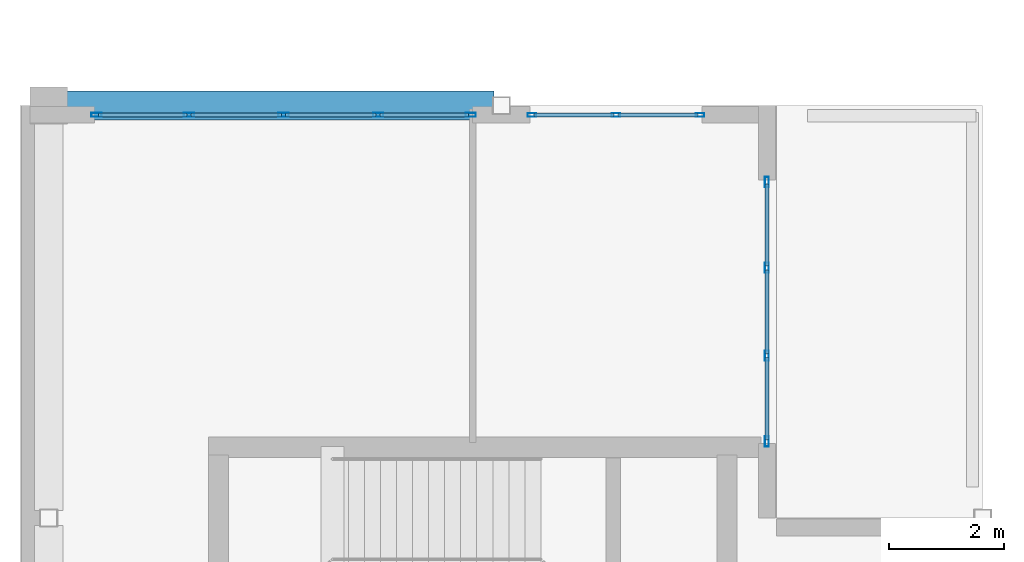
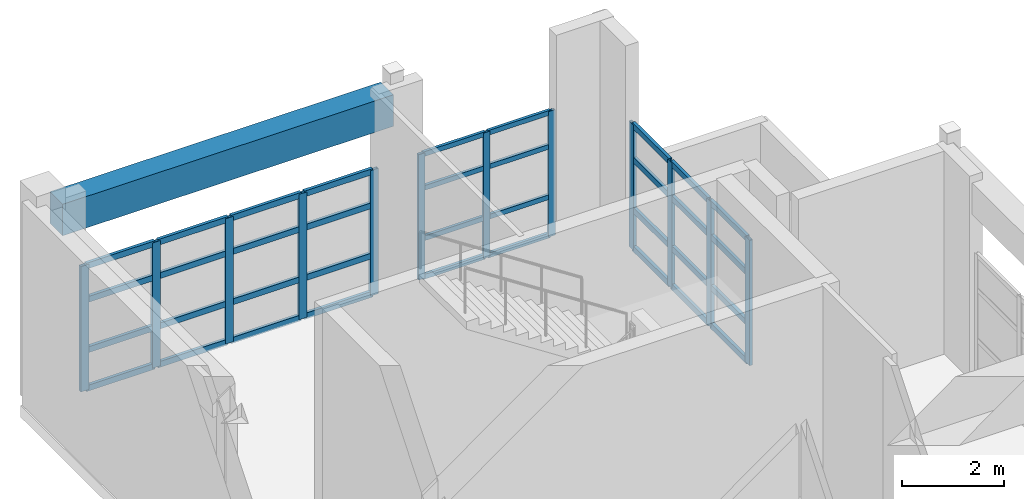
# One storey, part 24 of 78: 48 members, 1 beam, 3 elements without a shape of their own.
"""IFC4 building model written with IfcOpenShell, lengths in metres."""

import ifcopenshell
import ifcopenshell.guid

model = None  # the IFC model being written
_history = None  # IfcOwnerHistory: only IFC2X3 demands one
_inside = {}  # id of a spatial element -> (the spatial element, [elements in it])
_under = {}  # id of a project, library or spatial element -> (it, [spatial elements below it])
_declared = {}  # id of a project -> (the project, [libraries it declares])
_typed = {}  # id of a type object -> (the type object, [elements of that type])
_made_of = {}  # id of a material, layer set ... -> (it, [elements and type objects made of it])


def new_model(schema):
    """Start an empty IFC model of exactly this schema.

    Asked for "IFC4X3", IfcOpenShell would pick the latest addendum, in which some entities
    have other attributes; the version numbers below select the first issue.
    IFC2X3 requires an IfcOwnerHistory on every rooted entity: one is made here for all.
    """
    global model, _history
    if schema == "IFC4X3":
        model = ifcopenshell.file(schema_version=(4, 3, 0, 0))
    else:
        model = ifcopenshell.file(schema=schema)
    _inside.clear()
    _under.clear()
    _declared.clear()
    _typed.clear()
    _made_of.clear()
    _history = None
    if model.schema == "IFC2X3":
        org = make("IfcOrganization", Name="unknown")
        user = make(
            "IfcPersonAndOrganization",
            ThePerson=make("IfcPerson", FamilyName="unknown"),
            TheOrganization=org,
        )
        app = make(
            "IfcApplication",
            ApplicationDeveloper=org,
            Version="unknown",
            ApplicationFullName="unknown",
            ApplicationIdentifier="unknown",
        )
        _history = make(
            "IfcOwnerHistory",
            OwningUser=user,
            OwningApplication=app,
            ChangeAction="ADDED",
            CreationDate=0,
        )
    return model


def make(cls, **values):
    """One entity of the class cls with the attributes given. An attribute that is None is left unset."""
    return model.create_entity(
        cls, **{name: value for name, value in values.items() if value is not None}
    )


def rooted(cls, **values):
    """An entity with a GlobalId (a new one), such as an element, a storey or a relation."""
    return make(cls, GlobalId=ifcopenshell.guid.new(), OwnerHistory=_history, **values)


def si_unit(unit_type, name, prefix=None):
    """IfcSIUnit, for example si_unit("LENGTHUNIT", "METRE", prefix="MILLI")."""
    return make("IfcSIUnit", UnitType=unit_type, Prefix=prefix, Name=name)


def assignment(units):
    """IfcUnitAssignment: the units of a project."""
    return None if units is None else make("IfcUnitAssignment", Units=units)


def point(xyz):
    """IfcCartesianPoint."""
    return None if xyz is None else make("IfcCartesianPoint", Coordinates=xyz)


def direction(xyz):
    """IfcDirection."""
    return None if xyz is None else make("IfcDirection", DirectionRatios=xyz)


def frame(location, z_axis=None, x_axis=None):
    """IfcAxis2Placement3D, a coordinate frame: its origin and axes. An axis left out is left unset."""
    return make(
        "IfcAxis2Placement3D",
        Location=point(location),
        Axis=direction(z_axis),
        RefDirection=direction(x_axis),
    )


def frame_2d(location, x_axis=None):
    """IfcAxis2Placement2D, a coordinate frame in the plane: its origin and x axis."""
    return make(
        "IfcAxis2Placement2D", Location=point(location), RefDirection=direction(x_axis)
    )


def origin():
    """The frame at (0, 0, 0) with its axes left unset."""
    return frame((0.0, 0.0, 0.0))


def origin_2d():
    """The frame at (0, 0) in the plane with its x axis left unset."""
    return frame_2d((0.0, 0.0))


def place(relative_to, where):
    """IfcLocalPlacement: puts the frame where relative to a parent placement (None: the world)."""
    return make(
        "IfcLocalPlacement", PlacementRelTo=relative_to, RelativePlacement=where
    )


def context(
    kind, dimensions, precision=None, world=None, true_north=None, identifier=None
):
    """IfcGeometricRepresentationContext, for example the 3D "Model" context."""
    return make(
        "IfcGeometricRepresentationContext",
        ContextIdentifier=identifier,
        ContextType=kind,
        CoordinateSpaceDimension=dimensions,
        Precision=precision,
        WorldCoordinateSystem=world,
        TrueNorth=true_north,
    )


def subcontext(parent, identifier, kind, view, scale=None):
    """IfcGeometricRepresentationSubContext, for example "Body" below "Model"."""
    return make(
        "IfcGeometricRepresentationSubContext",
        ContextIdentifier=identifier,
        ContextType=kind,
        ParentContext=parent,
        TargetScale=scale,
        TargetView=view,
    )


def project(units=None, contexts=None):
    """IfcProject with its units and contexts."""
    return rooted(
        "IfcProject",
        Name="project",
        RepresentationContexts=contexts,
        UnitsInContext=assignment(units),
    )


def spatial(cls, under=None, at=None, **own):
    """A site, building, storey or space (cls), placed at a placement, below another one or the project."""
    s = rooted(cls, ObjectPlacement=at, **own)
    if under is not None:
        _under.setdefault(under.id(), (under, []))[1].append(s)
    return s


def profile(cls, at=None, kind="AREA", **sizes):
    """A parametric profile (cls). Its sizes go by their IFC names, for example OverallWidth=200.0."""
    return make(cls, ProfileType=kind, Position=at, **sizes)


def rectangle(**sizes):
    """IfcRectangleProfileDef."""
    return profile("IfcRectangleProfileDef", **sizes)


def hollow_rectangle(**sizes):
    """IfcRectangleHollowProfileDef."""
    return profile("IfcRectangleHollowProfileDef", **sizes)


def extrude(swept, where, along, depth):
    """IfcExtrudedAreaSolid: the profile swept, set in the frame where, extruded along a direction by depth."""
    return make(
        "IfcExtrudedAreaSolid",
        SweptArea=swept,
        Position=where,
        ExtrudedDirection=direction(along),
        Depth=depth,
    )


def shape(context_of_items, identifier, shape_type, items):
    """IfcShapeRepresentation: the items that make up one representation, for example the "Body"."""
    return make(
        "IfcShapeRepresentation",
        ContextOfItems=context_of_items,
        RepresentationIdentifier=identifier,
        RepresentationType=shape_type,
        Items=items,
    )


def material(Name=None, Category=None):
    """IfcMaterial."""
    return make("IfcMaterial", Name=Name, Category=Category)


def layer(
    of_material, thickness, ventilated=None, Name=None, Category=None, Priority=None
):
    """IfcMaterialLayer: one layer of a wall or slab, of a material (None: an air gap)."""
    return make(
        "IfcMaterialLayer",
        Material=of_material,
        LayerThickness=thickness,
        IsVentilated=ventilated,
        Name=Name,
        Category=Category,
        Priority=Priority,
    )


def layer_set(layers, Name=None):
    """IfcMaterialLayerSet."""
    return make("IfcMaterialLayerSet", MaterialLayers=layers, LayerSetName=Name)


def material_profile(
    of_material, cross_section, Name=None, Category=None, Priority=None
):
    """IfcMaterialProfile: a cross section and its material."""
    return make(
        "IfcMaterialProfile",
        Name=Name,
        Material=of_material,
        Profile=cross_section,
        Priority=Priority,
        Category=Category,
    )


def profile_set(profiles, Name=None, composite=None):
    """IfcMaterialProfileSet."""
    return make(
        "IfcMaterialProfileSet",
        Name=Name,
        MaterialProfiles=profiles,
        CompositeProfile=composite,
    )


def made_of(thing, what):
    """Note that an element or type object is made of a material, layer set ...; save() writes the relation."""
    if what is not None:
        _made_of.setdefault(what.id(), (what, []))[1].append(thing)
    return thing


def type_object(cls, material=None, **own):
    """A type object (cls), such as IfcWallType, which elements share."""
    return made_of(rooted(cls, **own), material)


def element(
    cls,
    number,
    at=None,
    inside=None,
    cuts=None,
    type_object=None,
    material=None,
    context=None,
    identifier="Body",
    shape_type=None,
    held_by="IfcProductDefinitionShape",
    body=None,
    shapes=None,
    **own,
):
    """One element of the class cls, such as IfcWall. Its Tag is "e" and its number.

    at: its placement. inside: the storey or other place that contains it. cuts: it is an
    opening in that element (IfcRelVoidsElement). A single representation is given by context,
    identifier, shape_type and body (its items); several are given by shapes. held_by: the class
    of the entity that holds the representations. save() writes the other relations.
    """
    e = rooted(cls, Tag="e%d" % number, ObjectPlacement=at, **own)
    if body is not None:
        shapes = [shape(context, identifier, shape_type, body)]
    if shapes is not None:
        e.Representation = make(held_by, Representations=shapes)
    if inside is not None:
        _inside.setdefault(inside.id(), (inside, []))[1].append(e)
    if cuts is not None:
        rooted(
            "IfcRelVoidsElement", RelatingBuildingElement=cuts, RelatedOpeningElement=e
        )
    if type_object is not None:
        _typed.setdefault(type_object.id(), (type_object, []))[1].append(e)
    return made_of(e, material)


def aggregate(whole, parts):
    """IfcRelAggregates: a whole, such as a stair, and the parts it consists of."""
    return rooted("IfcRelAggregates", RelatingObject=whole, RelatedObjects=parts)


def save(model, path):
    """Write the relations noted so far, then the file.

    IfcRelAggregates (storeys below a building ...), IfcRelContainedInSpatialStructure (elements
    in a storey), IfcRelDefinesByType, IfcRelAssociatesMaterial and IfcRelDeclares: one each for
    every whole, place, type object, material and project.
    """
    for whole, parts in _under.values():
        aggregate(whole, parts)
    for where, things in _inside.values():
        rooted(
            "IfcRelContainedInSpatialStructure",
            RelatedElements=things,
            RelatingStructure=where,
        )
    for kind, things in _typed.values():
        rooted("IfcRelDefinesByType", RelatedObjects=things, RelatingType=kind)
    for what, things in _made_of.values():
        rooted("IfcRelAssociatesMaterial", RelatedObjects=things, RelatingMaterial=what)
    for by, libraries in _declared.values():
        rooted("IfcRelDeclares", RelatingContext=by, RelatedDefinitions=libraries)
    model.write(path)


model = new_model("IFC4")

# Units and contexts
model_context = context("Model", 3, precision=1e-05, world=origin(), true_north=direction((0.0, 1.0)))
body_context = subcontext(model_context, "Body", "Model", "MODEL_VIEW")
ifc_project = project(units=[si_unit("LENGTHUNIT", "METRE"), si_unit("AREAUNIT", "SQUARE_METRE"), si_unit("VOLUMEUNIT", "CUBIC_METRE"), si_unit("PLANEANGLEUNIT", "RADIAN"), si_unit("MASSUNIT", "GRAM", prefix="KILO")], contexts=[model_context])

# Site, building, storey
site_placement = place(None, origin())
site = spatial("IfcSite", under=ifc_project, at=site_placement, CompositionType="ELEMENT")
building_placement = place(site_placement, origin())
building = spatial("IfcBuilding", under=site, at=building_placement, Name="Quendrovan Civic Courthouse", CompositionType="ELEMENT")
storey_placement = place(building_placement, frame((0.0, 0.0, 20.39990234375)))
storey = spatial("IfcBuildingStorey", under=building, at=storey_placement, Name="L05", CompositionType="ELEMENT", Elevation=20.39990234375)

# Beam
ifc_material_1 = material(Name="Concrete C40/50", Category="concrete")
ifc_material_profile_1 = material_profile(ifc_material_1, rectangle(XDim=0.5, YDim=0.75, at=origin_2d()), Name="RC-BM-500x750")
ifc_profile_set_1 = profile_set([ifc_material_profile_1], Name="Concrete C40/50")
beam_type = type_object("IfcBeamType", Name="BM-RC750", PredefinedType="SPANDREL", material=ifc_profile_set_1)
beam_placement = place(storey_placement, frame((0.804931640625, 94.800048828125, 4.28515625), z_axis=(1.0, 0.0, 0.0), x_axis=(0.0, 1.0, 0.0)))
element("IfcBeam", 1, at=beam_placement, inside=storey, type_object=beam_type, Name="L05 Girder X1038", PredefinedType="SPANDREL", context=body_context, shape_type="SweptSolid", body=[
    extrude(rectangle(XDim=0.5, YDim=0.75, at=origin_2d()), origin(), (0.0, 0.0, 1.0), 7.465087890625),
])

# Curtain wall, members
ifc_material_2 = material(Name="Bronze anodised aluminium and low-E glass", Category="aluminium")
ifc_layer_1 = layer(ifc_material_2, 0.179931640625, Name="Bronze anodised aluminium and low-E glass")
ifc_layer_set_1 = layer_set([ifc_layer_1], Name="Bronze anodised aluminium and low-E glass")
curtain_wall_type_1 = type_object("IfcCurtainWallType", Name="CW-U46x30", PredefinedType="USERDEFINED", material=ifc_layer_set_1)
curtain_wall_1_placement = place(storey_placement, origin())
curtain_wall_1 = element("IfcCurtainWall", 2, at=curtain_wall_1_placement, inside=storey, type_object=curtain_wall_type_1, Name="L05 Unitised Hurricane Curtain Wall CW-180", ObjectType="UNITISED CURTAIN WALL", PredefinedType="USERDEFINED")
ifc_material_3 = material(Name="Bronze anodised aluminium", Category="aluminium")
ifc_material_profile_2 = material_profile(ifc_material_3, hollow_rectangle(XDim=0.070068359375, YDim=0.179931640625, WallThickness=0.00390625, at=origin_2d()), Name="CW-MULL-70x180")
ifc_profile_set_2 = profile_set([ifc_material_profile_2], Name="Bronze anodised aluminium")
member_type_1 = type_object("IfcMemberType", Name="CW-MULL-A", PredefinedType="MULLION", material=ifc_profile_set_2)
member_1_placement = place(storey_placement, frame((13.034912109375, 93.465087890625, 0.0), z_axis=(0.0, 0.0, 1.0), x_axis=(1.0, 0.0, 0.0)))
member_1 = element("IfcMember", 3, at=member_1_placement, type_object=member_type_1, Name="CW-180 mullion 1", PredefinedType="MULLION", context=body_context, shape_type="SweptSolid", body=[
    extrude(hollow_rectangle(XDim=0.070068359375, YDim=0.179931640625, WallThickness=0.00390625, at=origin_2d()), origin(), (0.0, 0.0, 1.0), 2.989990234375),
])
member_2_placement = place(storey_placement, frame((13.034912109375, 91.966552734375, 0.0), z_axis=(0.0, 0.0, 1.0), x_axis=(1.0, 0.0, 0.0)))
member_2 = element("IfcMember", 4, at=member_2_placement, type_object=member_type_1, Name="CW-180 mullion 2", PredefinedType="MULLION", context=body_context, shape_type="SweptSolid", body=[
    extrude(hollow_rectangle(XDim=0.070068359375, YDim=0.179931640625, WallThickness=0.00390625, at=origin_2d()), origin(), (0.0, 0.0, 1.0), 2.989990234375),
])
member_3_placement = place(storey_placement, frame((13.034912109375, 90.433349609375, 0.0), z_axis=(0.0, 0.0, 1.0), x_axis=(1.0, 0.0, 0.0)))
member_3 = element("IfcMember", 5, at=member_3_placement, type_object=member_type_1, Name="CW-180 mullion 3", PredefinedType="MULLION", context=body_context, shape_type="SweptSolid", body=[
    extrude(hollow_rectangle(XDim=0.070068359375, YDim=0.179931640625, WallThickness=0.00390625, at=origin_2d()), origin(), (0.0, 0.0, 1.0), 2.989990234375),
])
member_4_placement = place(storey_placement, frame((13.034912109375, 88.93505859375, 0.0), z_axis=(0.0, 0.0, 1.0), x_axis=(1.0, 0.0, 0.0)))
member_4 = element("IfcMember", 6, at=member_4_placement, type_object=member_type_1, Name="CW-180 mullion 4", PredefinedType="MULLION", context=body_context, shape_type="SweptSolid", body=[
    extrude(hollow_rectangle(XDim=0.070068359375, YDim=0.179931640625, WallThickness=0.00390625, at=origin_2d()), origin(), (0.0, 0.0, 1.0), 2.989990234375),
])

ifc_layer_2 = layer(ifc_material_2, 0.179931640625, Name="Bronze anodised aluminium and low-E glass")
ifc_layer_set_2 = layer_set([ifc_layer_2], Name="Bronze anodised aluminium and low-E glass")
curtain_wall_type_2 = type_object("IfcCurtainWallType", Name="CW-U66x30", PredefinedType="USERDEFINED", material=ifc_layer_set_2)
curtain_wall_2_placement = place(storey_placement, origin())
curtain_wall_2 = element("IfcCurtainWall", 7, at=curtain_wall_2_placement, inside=storey, type_object=curtain_wall_type_2, Name="L05 Unitised Hurricane Curtain Wall CW-190", ObjectType="UNITISED CURTAIN WALL", PredefinedType="USERDEFINED")
member_5_placement = place(storey_placement, frame((1.3349609375, 94.635009765625, 0.0), z_axis=(0.0, 0.0, 1.0), x_axis=(0.0, 1.0, 0.0)))
member_5 = element("IfcMember", 8, at=member_5_placement, type_object=member_type_1, Name="CW-190 mullion 1", PredefinedType="MULLION", context=body_context, shape_type="SweptSolid", body=[
    extrude(hollow_rectangle(XDim=0.070068359375, YDim=0.179931640625, WallThickness=0.00390625, at=origin_2d()), origin(), (0.0, 0.0, 1.0), 2.989990234375),
])
member_6_placement = place(storey_placement, frame((2.949951171875, 94.635009765625, 0.0), z_axis=(0.0, 0.0, 1.0), x_axis=(0.0, 1.0, 0.0)))
member_6 = element("IfcMember", 9, at=member_6_placement, type_object=member_type_1, Name="CW-190 mullion 2", PredefinedType="MULLION", context=body_context, shape_type="SweptSolid", body=[
    extrude(hollow_rectangle(XDim=0.070068359375, YDim=0.179931640625, WallThickness=0.00390625, at=origin_2d()), origin(), (0.0, 0.0, 1.0), 2.989990234375),
])
member_7_placement = place(storey_placement, frame((4.60009765625, 94.635009765625, 0.0), z_axis=(0.0, 0.0, 1.0), x_axis=(0.0, 1.0, 0.0)))
member_7 = element("IfcMember", 10, at=member_7_placement, type_object=member_type_1, Name="CW-190 mullion 3", PredefinedType="MULLION", context=body_context, shape_type="SweptSolid", body=[
    extrude(hollow_rectangle(XDim=0.070068359375, YDim=0.179931640625, WallThickness=0.00390625, at=origin_2d()), origin(), (0.0, 0.0, 1.0), 2.989990234375),
])
member_8_placement = place(storey_placement, frame((6.25, 94.635009765625, 0.0), z_axis=(0.0, 0.0, 1.0), x_axis=(0.0, 1.0, 0.0)))
member_8 = element("IfcMember", 11, at=member_8_placement, type_object=member_type_1, Name="CW-190 mullion 4", PredefinedType="MULLION", context=body_context, shape_type="SweptSolid", body=[
    extrude(hollow_rectangle(XDim=0.070068359375, YDim=0.179931640625, WallThickness=0.00390625, at=origin_2d()), origin(), (0.0, 0.0, 1.0), 2.989990234375),
])
member_9_placement = place(storey_placement, frame((7.864990234375, 94.635009765625, 0.0), z_axis=(0.0, 0.0, 1.0), x_axis=(0.0, 1.0, 0.0)))
member_9 = element("IfcMember", 12, at=member_9_placement, type_object=member_type_1, Name="CW-190 mullion 5", PredefinedType="MULLION", context=body_context, shape_type="SweptSolid", body=[
    extrude(hollow_rectangle(XDim=0.070068359375, YDim=0.179931640625, WallThickness=0.00390625, at=origin_2d()), origin(), (0.0, 0.0, 1.0), 2.989990234375),
])

ifc_layer_3 = layer(ifc_material_2, 0.179931640625, Name="Bronze anodised aluminium and low-E glass")
ifc_layer_set_3 = layer_set([ifc_layer_3], Name="Bronze anodised aluminium and low-E glass")
curtain_wall_type_3 = type_object("IfcCurtainWallType", Name="CW-U30x30", PredefinedType="USERDEFINED", material=ifc_layer_set_3)
curtain_wall_3_placement = place(storey_placement, origin())
curtain_wall_3 = element("IfcCurtainWall", 13, at=curtain_wall_3_placement, inside=storey, type_object=curtain_wall_type_3, Name="L05 Unitised Hurricane Curtain Wall CW-191", ObjectType="UNITISED CURTAIN WALL", PredefinedType="USERDEFINED")
ifc_material_profile_3 = material_profile(ifc_material_3, hollow_rectangle(XDim=0.06494140625, YDim=0.14990234375, WallThickness=0.00390625, at=origin_2d()), Name="CW-MULL-65x150")
ifc_profile_set_3 = profile_set([ifc_material_profile_3], Name="Bronze anodised aluminium")
member_type_2 = type_object("IfcMemberType", Name="CW-MULL-B", PredefinedType="MULLION", material=ifc_profile_set_3)
member_10_placement = place(storey_placement, frame((8.9326171875, 94.635009765625, 0.0), z_axis=(0.0, 0.0, 1.0), x_axis=(0.0, 1.0, 0.0)))
member_10 = element("IfcMember", 14, at=member_10_placement, type_object=member_type_2, Name="CW-191 mullion 1", PredefinedType="MULLION", context=body_context, shape_type="SweptSolid", body=[
    extrude(hollow_rectangle(XDim=0.06494140625, YDim=0.14990234375, WallThickness=0.00390625, at=origin_2d()), origin(), (0.0, 0.0, 1.0), 2.989990234375),
])
member_11_placement = place(storey_placement, frame((10.39990234375, 94.635009765625, 0.0), z_axis=(0.0, 0.0, 1.0), x_axis=(0.0, 1.0, 0.0)))
member_11 = element("IfcMember", 15, at=member_11_placement, type_object=member_type_2, Name="CW-191 mullion 2", PredefinedType="MULLION", context=body_context, shape_type="SweptSolid", body=[
    extrude(hollow_rectangle(XDim=0.06494140625, YDim=0.14990234375, WallThickness=0.00390625, at=origin_2d()), origin(), (0.0, 0.0, 1.0), 2.989990234375),
])
member_12_placement = place(storey_placement, frame((11.867431640625, 94.635009765625, 0.0), z_axis=(0.0, 0.0, 1.0), x_axis=(0.0, 1.0, 0.0)))
member_12 = element("IfcMember", 16, at=member_12_placement, type_object=member_type_2, Name="CW-191 mullion 3", PredefinedType="MULLION", context=body_context, shape_type="SweptSolid", body=[
    extrude(hollow_rectangle(XDim=0.06494140625, YDim=0.14990234375, WallThickness=0.00390625, at=origin_2d()), origin(), (0.0, 0.0, 1.0), 2.989990234375),
])

# Member
ifc_material_profile_4 = material_profile(ifc_material_3, hollow_rectangle(XDim=0.070068359375, YDim=0.139892578125, WallThickness=0.00390625, at=origin_2d()), Name="CW-TRAN-70x140")
ifc_profile_set_4 = profile_set([ifc_material_profile_4], Name="Bronze anodised aluminium")
member_type_3 = type_object("IfcMemberType", Name="CW-TRAN-A", PredefinedType="USERDEFINED", material=ifc_profile_set_4)
member_13_placement = place(storey_placement, frame((13.034912109375, 93.429931640625, 0.03515625), z_axis=(0.0, -1.0, 0.0), x_axis=(1.0, 0.0, 0.0)))
member_13 = element("IfcMember", 17, at=member_13_placement, type_object=member_type_3, Name="CW-180 transom 1.1", ObjectType="TRANSOM", PredefinedType="USERDEFINED", context=body_context, shape_type="SweptSolid", body=[
    extrude(hollow_rectangle(XDim=0.070068359375, YDim=0.139892578125, WallThickness=0.00390625, at=origin_2d()), origin(), (0.0, 0.0, 1.0), 1.42822265625),
])

member_14_placement = place(storey_placement, frame((13.034912109375, 93.429931640625, 0.9501953125), z_axis=(0.0, -1.0, 0.0), x_axis=(1.0, 0.0, 0.0)))
member_14 = element("IfcMember", 18, at=member_14_placement, type_object=member_type_3, Name="CW-180 transom 1.2", ObjectType="TRANSOM", PredefinedType="USERDEFINED", context=body_context, shape_type="SweptSolid", body=[
    extrude(hollow_rectangle(XDim=0.070068359375, YDim=0.139892578125, WallThickness=0.00390625, at=origin_2d()), origin(), (0.0, 0.0, 1.0), 1.42822265625),
])

member_15_placement = place(storey_placement, frame((13.034912109375, 93.429931640625, 2.150146484375), z_axis=(0.0, -1.0, 0.0), x_axis=(1.0, 0.0, 0.0)))
member_15 = element("IfcMember", 19, at=member_15_placement, type_object=member_type_3, Name="CW-180 transom 1.3", ObjectType="TRANSOM", PredefinedType="USERDEFINED", context=body_context, shape_type="SweptSolid", body=[
    extrude(hollow_rectangle(XDim=0.070068359375, YDim=0.139892578125, WallThickness=0.00390625, at=origin_2d()), origin(), (0.0, 0.0, 1.0), 1.42822265625),
])

member_16_placement = place(storey_placement, frame((13.034912109375, 93.429931640625, 2.955078125), z_axis=(0.0, -1.0, 0.0), x_axis=(1.0, 0.0, 0.0)))
member_16 = element("IfcMember", 20, at=member_16_placement, type_object=member_type_3, Name="CW-180 transom 1.4", ObjectType="TRANSOM", PredefinedType="USERDEFINED", context=body_context, shape_type="SweptSolid", body=[
    extrude(hollow_rectangle(XDim=0.070068359375, YDim=0.139892578125, WallThickness=0.00390625, at=origin_2d()), origin(), (0.0, 0.0, 1.0), 1.42822265625),
])

member_17_placement = place(storey_placement, frame((13.034912109375, 91.931640625, 0.03515625), z_axis=(0.0, -1.0, 0.0), x_axis=(1.0, 0.0, 0.0)))
member_17 = element("IfcMember", 21, at=member_17_placement, type_object=member_type_3, Name="CW-180 transom 2.1", ObjectType="TRANSOM", PredefinedType="USERDEFINED", context=body_context, shape_type="SweptSolid", body=[
    extrude(hollow_rectangle(XDim=0.070068359375, YDim=0.139892578125, WallThickness=0.00390625, at=origin_2d()), origin(), (0.0, 0.0, 1.0), 1.46337890625),
])

member_18_placement = place(storey_placement, frame((13.034912109375, 91.931640625, 0.9501953125), z_axis=(0.0, -1.0, 0.0), x_axis=(1.0, 0.0, 0.0)))
member_18 = element("IfcMember", 22, at=member_18_placement, type_object=member_type_3, Name="CW-180 transom 2.2", ObjectType="TRANSOM", PredefinedType="USERDEFINED", context=body_context, shape_type="SweptSolid", body=[
    extrude(hollow_rectangle(XDim=0.070068359375, YDim=0.139892578125, WallThickness=0.00390625, at=origin_2d()), origin(), (0.0, 0.0, 1.0), 1.46337890625),
])

member_19_placement = place(storey_placement, frame((13.034912109375, 91.931640625, 2.150146484375), z_axis=(0.0, -1.0, 0.0), x_axis=(1.0, 0.0, 0.0)))
member_19 = element("IfcMember", 23, at=member_19_placement, type_object=member_type_3, Name="CW-180 transom 2.3", ObjectType="TRANSOM", PredefinedType="USERDEFINED", context=body_context, shape_type="SweptSolid", body=[
    extrude(hollow_rectangle(XDim=0.070068359375, YDim=0.139892578125, WallThickness=0.00390625, at=origin_2d()), origin(), (0.0, 0.0, 1.0), 1.46337890625),
])

member_20_placement = place(storey_placement, frame((13.034912109375, 91.931640625, 2.955078125), z_axis=(0.0, -1.0, 0.0), x_axis=(1.0, 0.0, 0.0)))
member_20 = element("IfcMember", 24, at=member_20_placement, type_object=member_type_3, Name="CW-180 transom 2.4", ObjectType="TRANSOM", PredefinedType="USERDEFINED", context=body_context, shape_type="SweptSolid", body=[
    extrude(hollow_rectangle(XDim=0.070068359375, YDim=0.139892578125, WallThickness=0.00390625, at=origin_2d()), origin(), (0.0, 0.0, 1.0), 1.46337890625),
])

member_21_placement = place(storey_placement, frame((13.034912109375, 90.3984375, 0.03515625), z_axis=(0.0, -1.0, 0.0), x_axis=(1.0, 0.0, 0.0)))
member_21 = element("IfcMember", 25, at=member_21_placement, type_object=member_type_3, Name="CW-180 transom 3.1", ObjectType="TRANSOM", PredefinedType="USERDEFINED", context=body_context, shape_type="SweptSolid", body=[
    extrude(hollow_rectangle(XDim=0.070068359375, YDim=0.139892578125, WallThickness=0.00390625, at=origin_2d()), origin(), (0.0, 0.0, 1.0), 1.428466796875),
])

member_22_placement = place(storey_placement, frame((13.034912109375, 90.3984375, 0.9501953125), z_axis=(0.0, -1.0, 0.0), x_axis=(1.0, 0.0, 0.0)))
member_22 = element("IfcMember", 26, at=member_22_placement, type_object=member_type_3, Name="CW-180 transom 3.2", ObjectType="TRANSOM", PredefinedType="USERDEFINED", context=body_context, shape_type="SweptSolid", body=[
    extrude(hollow_rectangle(XDim=0.070068359375, YDim=0.139892578125, WallThickness=0.00390625, at=origin_2d()), origin(), (0.0, 0.0, 1.0), 1.428466796875),
])

member_23_placement = place(storey_placement, frame((13.034912109375, 90.3984375, 2.150146484375), z_axis=(0.0, -1.0, 0.0), x_axis=(1.0, 0.0, 0.0)))
member_23 = element("IfcMember", 27, at=member_23_placement, type_object=member_type_3, Name="CW-180 transom 3.3", ObjectType="TRANSOM", PredefinedType="USERDEFINED", context=body_context, shape_type="SweptSolid", body=[
    extrude(hollow_rectangle(XDim=0.070068359375, YDim=0.139892578125, WallThickness=0.00390625, at=origin_2d()), origin(), (0.0, 0.0, 1.0), 1.428466796875),
])

member_24_placement = place(storey_placement, frame((13.034912109375, 90.3984375, 2.955078125), z_axis=(0.0, -1.0, 0.0), x_axis=(1.0, 0.0, 0.0)))
member_24 = element("IfcMember", 28, at=member_24_placement, type_object=member_type_3, Name="CW-180 transom 3.4", ObjectType="TRANSOM", PredefinedType="USERDEFINED", context=body_context, shape_type="SweptSolid", body=[
    extrude(hollow_rectangle(XDim=0.070068359375, YDim=0.139892578125, WallThickness=0.00390625, at=origin_2d()), origin(), (0.0, 0.0, 1.0), 1.428466796875),
])

aggregate(curtain_wall_1, [member_1, member_2, member_3, member_4, member_13, member_14, member_15, member_16, member_17, member_18, member_19, member_20, member_21, member_22, member_23, member_24])

member_25_placement = place(storey_placement, frame((1.3701171875, 94.635009765625, 0.03515625), z_axis=(1.0, 0.0, 0.0), x_axis=(0.0, 1.0, 0.0)))
member_25 = element("IfcMember", 29, at=member_25_placement, type_object=member_type_3, Name="CW-190 transom 1.1", ObjectType="TRANSOM", PredefinedType="USERDEFINED", context=body_context, shape_type="SweptSolid", body=[
    extrude(hollow_rectangle(XDim=0.070068359375, YDim=0.139892578125, WallThickness=0.00390625, at=origin_2d()), origin(), (0.0, 0.0, 1.0), 1.544921875),
])

member_26_placement = place(storey_placement, frame((1.3701171875, 94.635009765625, 0.9501953125), z_axis=(1.0, 0.0, 0.0), x_axis=(0.0, 1.0, 0.0)))
member_26 = element("IfcMember", 30, at=member_26_placement, type_object=member_type_3, Name="CW-190 transom 1.2", ObjectType="TRANSOM", PredefinedType="USERDEFINED", context=body_context, shape_type="SweptSolid", body=[
    extrude(hollow_rectangle(XDim=0.070068359375, YDim=0.139892578125, WallThickness=0.00390625, at=origin_2d()), origin(), (0.0, 0.0, 1.0), 1.544921875),
])

member_27_placement = place(storey_placement, frame((1.3701171875, 94.635009765625, 2.150146484375), z_axis=(1.0, 0.0, 0.0), x_axis=(0.0, 1.0, 0.0)))
member_27 = element("IfcMember", 31, at=member_27_placement, type_object=member_type_3, Name="CW-190 transom 1.3", ObjectType="TRANSOM", PredefinedType="USERDEFINED", context=body_context, shape_type="SweptSolid", body=[
    extrude(hollow_rectangle(XDim=0.070068359375, YDim=0.139892578125, WallThickness=0.00390625, at=origin_2d()), origin(), (0.0, 0.0, 1.0), 1.544921875),
])

member_28_placement = place(storey_placement, frame((1.3701171875, 94.635009765625, 2.955078125), z_axis=(1.0, 0.0, 0.0), x_axis=(0.0, 1.0, 0.0)))
member_28 = element("IfcMember", 32, at=member_28_placement, type_object=member_type_3, Name="CW-190 transom 1.4", ObjectType="TRANSOM", PredefinedType="USERDEFINED", context=body_context, shape_type="SweptSolid", body=[
    extrude(hollow_rectangle(XDim=0.070068359375, YDim=0.139892578125, WallThickness=0.00390625, at=origin_2d()), origin(), (0.0, 0.0, 1.0), 1.544921875),
])

member_29_placement = place(storey_placement, frame((2.985107421875, 94.635009765625, 0.03515625), z_axis=(1.0, 0.0, 0.0), x_axis=(0.0, 1.0, 0.0)))
member_29 = element("IfcMember", 33, at=member_29_placement, type_object=member_type_3, Name="CW-190 transom 2.1", ObjectType="TRANSOM", PredefinedType="USERDEFINED", context=body_context, shape_type="SweptSolid", body=[
    extrude(hollow_rectangle(XDim=0.070068359375, YDim=0.139892578125, WallThickness=0.00390625, at=origin_2d()), origin(), (0.0, 0.0, 1.0), 1.579833984375),
])

member_30_placement = place(storey_placement, frame((2.985107421875, 94.635009765625, 0.9501953125), z_axis=(1.0, 0.0, 0.0), x_axis=(0.0, 1.0, 0.0)))
member_30 = element("IfcMember", 34, at=member_30_placement, type_object=member_type_3, Name="CW-190 transom 2.2", ObjectType="TRANSOM", PredefinedType="USERDEFINED", context=body_context, shape_type="SweptSolid", body=[
    extrude(hollow_rectangle(XDim=0.070068359375, YDim=0.139892578125, WallThickness=0.00390625, at=origin_2d()), origin(), (0.0, 0.0, 1.0), 1.579833984375),
])

member_31_placement = place(storey_placement, frame((2.985107421875, 94.635009765625, 2.150146484375), z_axis=(1.0, 0.0, 0.0), x_axis=(0.0, 1.0, 0.0)))
member_31 = element("IfcMember", 35, at=member_31_placement, type_object=member_type_3, Name="CW-190 transom 2.3", ObjectType="TRANSOM", PredefinedType="USERDEFINED", context=body_context, shape_type="SweptSolid", body=[
    extrude(hollow_rectangle(XDim=0.070068359375, YDim=0.139892578125, WallThickness=0.00390625, at=origin_2d()), origin(), (0.0, 0.0, 1.0), 1.579833984375),
])

member_32_placement = place(storey_placement, frame((2.985107421875, 94.635009765625, 2.955078125), z_axis=(1.0, 0.0, 0.0), x_axis=(0.0, 1.0, 0.0)))
member_32 = element("IfcMember", 36, at=member_32_placement, type_object=member_type_3, Name="CW-190 transom 2.4", ObjectType="TRANSOM", PredefinedType="USERDEFINED", context=body_context, shape_type="SweptSolid", body=[
    extrude(hollow_rectangle(XDim=0.070068359375, YDim=0.139892578125, WallThickness=0.00390625, at=origin_2d()), origin(), (0.0, 0.0, 1.0), 1.579833984375),
])

member_33_placement = place(storey_placement, frame((4.635009765625, 94.635009765625, 0.03515625), z_axis=(1.0, 0.0, 0.0), x_axis=(0.0, 1.0, 0.0)))
member_33 = element("IfcMember", 37, at=member_33_placement, type_object=member_type_3, Name="CW-190 transom 3.1", ObjectType="TRANSOM", PredefinedType="USERDEFINED", context=body_context, shape_type="SweptSolid", body=[
    extrude(hollow_rectangle(XDim=0.070068359375, YDim=0.139892578125, WallThickness=0.00390625, at=origin_2d()), origin(), (0.0, 0.0, 1.0), 1.580078125),
])

member_34_placement = place(storey_placement, frame((4.635009765625, 94.635009765625, 0.9501953125), z_axis=(1.0, 0.0, 0.0), x_axis=(0.0, 1.0, 0.0)))
member_34 = element("IfcMember", 38, at=member_34_placement, type_object=member_type_3, Name="CW-190 transom 3.2", ObjectType="TRANSOM", PredefinedType="USERDEFINED", context=body_context, shape_type="SweptSolid", body=[
    extrude(hollow_rectangle(XDim=0.070068359375, YDim=0.139892578125, WallThickness=0.00390625, at=origin_2d()), origin(), (0.0, 0.0, 1.0), 1.580078125),
])

member_35_placement = place(storey_placement, frame((4.635009765625, 94.635009765625, 2.150146484375), z_axis=(1.0, 0.0, 0.0), x_axis=(0.0, 1.0, 0.0)))
member_35 = element("IfcMember", 39, at=member_35_placement, type_object=member_type_3, Name="CW-190 transom 3.3", ObjectType="TRANSOM", PredefinedType="USERDEFINED", context=body_context, shape_type="SweptSolid", body=[
    extrude(hollow_rectangle(XDim=0.070068359375, YDim=0.139892578125, WallThickness=0.00390625, at=origin_2d()), origin(), (0.0, 0.0, 1.0), 1.580078125),
])

member_36_placement = place(storey_placement, frame((4.635009765625, 94.635009765625, 2.955078125), z_axis=(1.0, 0.0, 0.0), x_axis=(0.0, 1.0, 0.0)))
member_36 = element("IfcMember", 40, at=member_36_placement, type_object=member_type_3, Name="CW-190 transom 3.4", ObjectType="TRANSOM", PredefinedType="USERDEFINED", context=body_context, shape_type="SweptSolid", body=[
    extrude(hollow_rectangle(XDim=0.070068359375, YDim=0.139892578125, WallThickness=0.00390625, at=origin_2d()), origin(), (0.0, 0.0, 1.0), 1.580078125),
])

member_37_placement = place(storey_placement, frame((6.284912109375, 94.635009765625, 0.03515625), z_axis=(1.0, 0.0, 0.0), x_axis=(0.0, 1.0, 0.0)))
member_37 = element("IfcMember", 41, at=member_37_placement, type_object=member_type_3, Name="CW-190 transom 4.1", ObjectType="TRANSOM", PredefinedType="USERDEFINED", context=body_context, shape_type="SweptSolid", body=[
    extrude(hollow_rectangle(XDim=0.070068359375, YDim=0.139892578125, WallThickness=0.00390625, at=origin_2d()), origin(), (0.0, 0.0, 1.0), 1.545166015625),
])

member_38_placement = place(storey_placement, frame((6.284912109375, 94.635009765625, 0.9501953125), z_axis=(1.0, 0.0, 0.0), x_axis=(0.0, 1.0, 0.0)))
member_38 = element("IfcMember", 42, at=member_38_placement, type_object=member_type_3, Name="CW-190 transom 4.2", ObjectType="TRANSOM", PredefinedType="USERDEFINED", context=body_context, shape_type="SweptSolid", body=[
    extrude(hollow_rectangle(XDim=0.070068359375, YDim=0.139892578125, WallThickness=0.00390625, at=origin_2d()), origin(), (0.0, 0.0, 1.0), 1.545166015625),
])

member_39_placement = place(storey_placement, frame((6.284912109375, 94.635009765625, 2.150146484375), z_axis=(1.0, 0.0, 0.0), x_axis=(0.0, 1.0, 0.0)))
member_39 = element("IfcMember", 43, at=member_39_placement, type_object=member_type_3, Name="CW-190 transom 4.3", ObjectType="TRANSOM", PredefinedType="USERDEFINED", context=body_context, shape_type="SweptSolid", body=[
    extrude(hollow_rectangle(XDim=0.070068359375, YDim=0.139892578125, WallThickness=0.00390625, at=origin_2d()), origin(), (0.0, 0.0, 1.0), 1.545166015625),
])

member_40_placement = place(storey_placement, frame((6.284912109375, 94.635009765625, 2.955078125), z_axis=(1.0, 0.0, 0.0), x_axis=(0.0, 1.0, 0.0)))
member_40 = element("IfcMember", 44, at=member_40_placement, type_object=member_type_3, Name="CW-190 transom 4.4", ObjectType="TRANSOM", PredefinedType="USERDEFINED", context=body_context, shape_type="SweptSolid", body=[
    extrude(hollow_rectangle(XDim=0.070068359375, YDim=0.139892578125, WallThickness=0.00390625, at=origin_2d()), origin(), (0.0, 0.0, 1.0), 1.545166015625),
])

aggregate(curtain_wall_2, [member_5, member_6, member_7, member_8, member_9, member_25, member_26, member_27, member_28, member_29, member_30, member_31, member_32, member_33, member_34, member_35, member_36, member_37, member_38, member_39, member_40])

ifc_material_profile_5 = material_profile(ifc_material_3, hollow_rectangle(XDim=0.06494140625, YDim=0.114990234375, WallThickness=0.00390625, at=origin_2d()), Name="CW-TRAN-65x115")
ifc_profile_set_5 = profile_set([ifc_material_profile_5], Name="Bronze anodised aluminium")
member_type_4 = type_object("IfcMemberType", Name="CW-TRAN-B", PredefinedType="USERDEFINED", material=ifc_profile_set_5)
member_41_placement = place(storey_placement, frame((8.965087890625, 94.635009765625, 0.03271484375), z_axis=(1.0, 0.0, 0.0), x_axis=(0.0, 1.0, 0.0)))
member_41 = element("IfcMember", 45, at=member_41_placement, type_object=member_type_4, Name="CW-191 transom 1.1", ObjectType="TRANSOM", PredefinedType="USERDEFINED", context=body_context, shape_type="SweptSolid", body=[
    extrude(hollow_rectangle(XDim=0.06494140625, YDim=0.114990234375, WallThickness=0.00390625, at=origin_2d()), origin(), (0.0, 0.0, 1.0), 1.40234375),
])

member_42_placement = place(storey_placement, frame((8.965087890625, 94.635009765625, 0.9501953125), z_axis=(1.0, 0.0, 0.0), x_axis=(0.0, 1.0, 0.0)))
member_42 = element("IfcMember", 46, at=member_42_placement, type_object=member_type_4, Name="CW-191 transom 1.2", ObjectType="TRANSOM", PredefinedType="USERDEFINED", context=body_context, shape_type="SweptSolid", body=[
    extrude(hollow_rectangle(XDim=0.06494140625, YDim=0.114990234375, WallThickness=0.00390625, at=origin_2d()), origin(), (0.0, 0.0, 1.0), 1.40234375),
])

member_43_placement = place(storey_placement, frame((8.965087890625, 94.635009765625, 2.150146484375), z_axis=(1.0, 0.0, 0.0), x_axis=(0.0, 1.0, 0.0)))
member_43 = element("IfcMember", 47, at=member_43_placement, type_object=member_type_4, Name="CW-191 transom 1.3", ObjectType="TRANSOM", PredefinedType="USERDEFINED", context=body_context, shape_type="SweptSolid", body=[
    extrude(hollow_rectangle(XDim=0.06494140625, YDim=0.114990234375, WallThickness=0.00390625, at=origin_2d()), origin(), (0.0, 0.0, 1.0), 1.40234375),
])

member_44_placement = place(storey_placement, frame((8.965087890625, 94.635009765625, 2.95751953125), z_axis=(1.0, 0.0, 0.0), x_axis=(0.0, 1.0, 0.0)))
member_44 = element("IfcMember", 48, at=member_44_placement, type_object=member_type_4, Name="CW-191 transom 1.4", ObjectType="TRANSOM", PredefinedType="USERDEFINED", context=body_context, shape_type="SweptSolid", body=[
    extrude(hollow_rectangle(XDim=0.06494140625, YDim=0.114990234375, WallThickness=0.00390625, at=origin_2d()), origin(), (0.0, 0.0, 1.0), 1.40234375),
])

member_45_placement = place(storey_placement, frame((10.4326171875, 94.635009765625, 0.03271484375), z_axis=(1.0, 0.0, 0.0), x_axis=(0.0, 1.0, 0.0)))
member_45 = element("IfcMember", 49, at=member_45_placement, type_object=member_type_4, Name="CW-191 transom 2.1", ObjectType="TRANSOM", PredefinedType="USERDEFINED", context=body_context, shape_type="SweptSolid", body=[
    extrude(hollow_rectangle(XDim=0.06494140625, YDim=0.114990234375, WallThickness=0.00390625, at=origin_2d()), origin(), (0.0, 0.0, 1.0), 1.40234375),
])

member_46_placement = place(storey_placement, frame((10.4326171875, 94.635009765625, 0.9501953125), z_axis=(1.0, 0.0, 0.0), x_axis=(0.0, 1.0, 0.0)))
member_46 = element("IfcMember", 50, at=member_46_placement, type_object=member_type_4, Name="CW-191 transom 2.2", ObjectType="TRANSOM", PredefinedType="USERDEFINED", context=body_context, shape_type="SweptSolid", body=[
    extrude(hollow_rectangle(XDim=0.06494140625, YDim=0.114990234375, WallThickness=0.00390625, at=origin_2d()), origin(), (0.0, 0.0, 1.0), 1.40234375),
])

member_47_placement = place(storey_placement, frame((10.4326171875, 94.635009765625, 2.150146484375), z_axis=(1.0, 0.0, 0.0), x_axis=(0.0, 1.0, 0.0)))
member_47 = element("IfcMember", 51, at=member_47_placement, type_object=member_type_4, Name="CW-191 transom 2.3", ObjectType="TRANSOM", PredefinedType="USERDEFINED", context=body_context, shape_type="SweptSolid", body=[
    extrude(hollow_rectangle(XDim=0.06494140625, YDim=0.114990234375, WallThickness=0.00390625, at=origin_2d()), origin(), (0.0, 0.0, 1.0), 1.40234375),
])

member_48_placement = place(storey_placement, frame((10.4326171875, 94.635009765625, 2.95751953125), z_axis=(1.0, 0.0, 0.0), x_axis=(0.0, 1.0, 0.0)))
member_48 = element("IfcMember", 52, at=member_48_placement, type_object=member_type_4, Name="CW-191 transom 2.4", ObjectType="TRANSOM", PredefinedType="USERDEFINED", context=body_context, shape_type="SweptSolid", body=[
    extrude(hollow_rectangle(XDim=0.06494140625, YDim=0.114990234375, WallThickness=0.00390625, at=origin_2d()), origin(), (0.0, 0.0, 1.0), 1.40234375),
])

aggregate(curtain_wall_3, [member_10, member_11, member_12, member_41, member_42, member_43, member_44, member_45, member_46, member_47, member_48])

save(model, "model.ifc")
